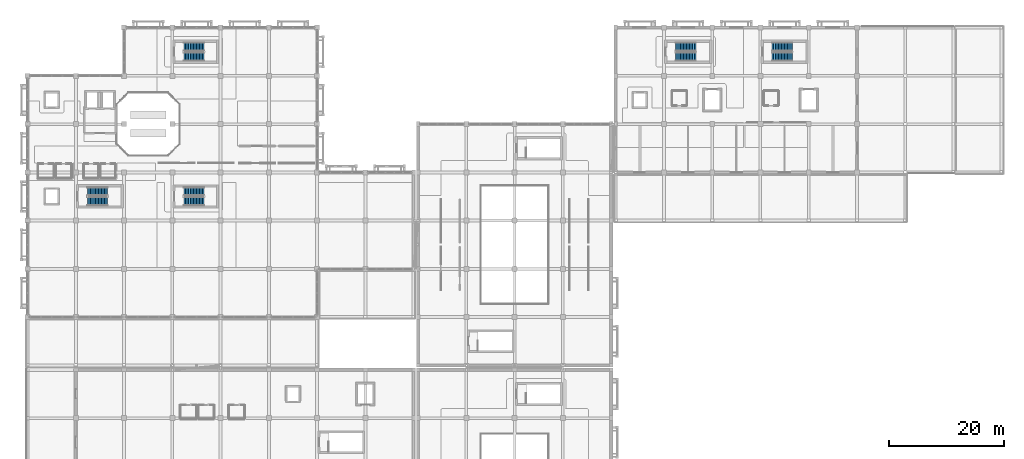
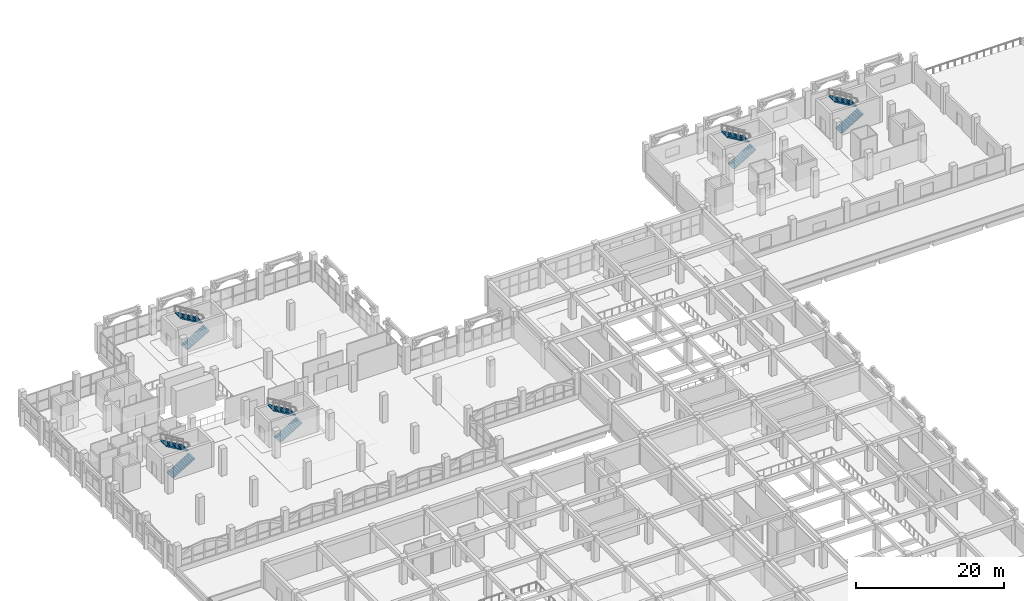
# One storey, part 116 of 129: 10 stair flights, 5 elements without a shape of their own.
"""IFC4 building model written with IfcOpenShell, lengths in metres."""

from ifc_helpers import new_model, si_unit, direction, frame, origin, place, context, subcontext, project, spatial, polyline, outline, extrude, material, type_object, element, aggregate, save


model = new_model("IFC4")

# Units and contexts
model_context = context("Model", 3, precision=1e-05, world=origin(), true_north=direction((0.0, 1.0)))
body_context = subcontext(model_context, "Body", "Model", "MODEL_VIEW")
ifc_project = project(units=[si_unit("LENGTHUNIT", "METRE"), si_unit("AREAUNIT", "SQUARE_METRE"), si_unit("VOLUMEUNIT", "CUBIC_METRE"), si_unit("PLANEANGLEUNIT", "RADIAN"), si_unit("MASSUNIT", "GRAM", prefix="KILO")], contexts=[model_context])

# Site, building, storey
site_placement = place(None, origin())
site = spatial("IfcSite", under=ifc_project, at=site_placement, CompositionType="ELEMENT")
building_placement = place(site_placement, origin())
building = spatial("IfcBuilding", under=site, at=building_placement, Name="Xazarin Passage Department Store", CompositionType="ELEMENT")
storey_placement = place(building_placement, frame((0.0, 0.0, 9.89990234375)))
storey = spatial("IfcBuildingStorey", under=building, at=storey_placement, Name="L02", CompositionType="ELEMENT", Elevation=9.89990234375)

# Stair, stair flights
ifc_material = material(Name="Concrete C35/45", Category="concrete")
stair_type = type_object("IfcStairType", Name="ARC-ST-TYP", PredefinedType="HALF_TURN_STAIR", material=ifc_material)
stair_1_placement = place(storey_placement, origin())
stair_1 = element("IfcStair", 1, at=stair_1_placement, inside=storey, type_object=stair_type, Name="L02 Exit Stair ST1", PredefinedType="HALF_TURN_STAIR")
stair_flight_type = type_object("IfcStairFlightType", Name="ARC-SFL-TYP", PredefinedType="STRAIGHT", material=ifc_material)
stair_flight_1_placement = place(storey_placement, frame((10.43994140625, 79.739990234375, 0.0), z_axis=(0.0, 0.0, 1.0), x_axis=(1.0, 0.0, 0.0)))
stair_flight_1 = element("IfcStairFlight", 2, at=stair_flight_1_placement, type_object=stair_flight_type, Name="ST1 flight 1", NumberOfRisers=14, NumberOfTreads=13, PredefinedType="STRAIGHT", RiserHeight=0.160714286, TreadLength=0.27, context=body_context, shape_type="SweptSolid", body=[
    extrude(outline(polyline([(0.0, 0.0), (0.0, 0.16064453125), (0.27001953125, 0.16064453125), (0.27001953125, 0.321533203125), (0.5400390625, 0.321533203125), (0.5400390625, 0.482177734375), (0.81005859375, 0.482177734375), (0.81005859375, 0.642822265625), (1.080078125, 0.642822265625), (1.080078125, 0.803466796875), (1.35009765625, 0.803466796875), (1.35009765625, 0.96435546875), (1.6201171875, 0.96435546875), (1.6201171875, 1.125), (1.889892578125, 1.125), (1.889892578125, 1.28564453125), (2.159912109375, 1.28564453125), (2.159912109375, 1.446533203125), (2.429931640625, 1.446533203125), (2.429931640625, 1.607177734375), (2.699951171875, 1.607177734375), (2.699951171875, 1.767822265625), (2.969970703125, 1.767822265625), (2.969970703125, 1.928466796875), (3.239990234375, 1.928466796875), (3.239990234375, 2.08935546875), (3.510009765625, 2.08935546875), (3.510009765625, 2.25), (3.510009765625, 1.903076171875), (0.312744140625, 0.0), (0.0, 0.0)])), frame((0.0, 0.760009765625, 0.0), z_axis=(0.0, -1.0, 0.0), x_axis=(1.0, 0.0, 0.0)), (0.0, 0.0, 1.0), 1.52001953125),
])
stair_flight_2_placement = place(storey_placement, frame((13.949951171875, 81.4599609375, 2.25), z_axis=(0.0, 0.0, 1.0), x_axis=(-1.0, 0.0, 0.0)))
stair_flight_2 = element("IfcStairFlight", 3, at=stair_flight_2_placement, type_object=stair_flight_type, Name="ST1 flight 2", NumberOfRisers=14, NumberOfTreads=13, PredefinedType="STRAIGHT", RiserHeight=0.160714286, TreadLength=0.27, context=body_context, shape_type="SweptSolid", body=[
    extrude(outline(polyline([(0.0, 0.0), (0.0, 0.16064453125), (0.27001953125, 0.16064453125), (0.27001953125, 0.321533203125), (0.5400390625, 0.321533203125), (0.5400390625, 0.482177734375), (0.81005859375, 0.482177734375), (0.81005859375, 0.642822265625), (1.080078125, 0.642822265625), (1.080078125, 0.803466796875), (1.35009765625, 0.803466796875), (1.35009765625, 0.96435546875), (1.6201171875, 0.96435546875), (1.6201171875, 1.125), (1.889892578125, 1.125), (1.889892578125, 1.28564453125), (2.159912109375, 1.28564453125), (2.159912109375, 1.446533203125), (2.429931640625, 1.446533203125), (2.429931640625, 1.607177734375), (2.699951171875, 1.607177734375), (2.699951171875, 1.767822265625), (2.969970703125, 1.767822265625), (2.969970703125, 1.928466796875), (3.239990234375, 1.928466796875), (3.239990234375, 2.08935546875), (3.510009765625, 2.08935546875), (3.510009765625, 2.25), (3.510009765625, 1.903076171875), (0.312744140625, 0.0), (0.0, 0.0)])), frame((0.0, 0.760009765625, 0.0), z_axis=(0.0, -1.0, 0.0), x_axis=(1.0, 0.0, 0.0)), (0.0, 0.0, 1.0), 1.52001953125),
])
aggregate(stair_1, [stair_flight_1, stair_flight_2])

stair_2_placement = place(storey_placement, origin())
stair_2 = element("IfcStair", 4, at=stair_2_placement, inside=storey, type_object=stair_type, Name="L02 Exit Stair ST2", PredefinedType="HALF_TURN_STAIR")
stair_flight_3_placement = place(storey_placement, frame((27.239990234375, 104.93994140625, 0.0), z_axis=(0.0, 0.0, 1.0), x_axis=(1.0, 0.0, 0.0)))
stair_flight_3 = element("IfcStairFlight", 5, at=stair_flight_3_placement, type_object=stair_flight_type, Name="ST2 flight 1", NumberOfRisers=14, NumberOfTreads=13, PredefinedType="STRAIGHT", RiserHeight=0.160714286, TreadLength=0.27, context=body_context, shape_type="SweptSolid", body=[
    extrude(outline(polyline([(0.0, 0.0), (0.0, 0.16064453125), (0.27001953125, 0.16064453125), (0.27001953125, 0.321533203125), (0.5400390625, 0.321533203125), (0.5400390625, 0.482177734375), (0.81005859375, 0.482177734375), (0.81005859375, 0.642822265625), (1.080078125, 0.642822265625), (1.080078125, 0.803466796875), (1.35009765625, 0.803466796875), (1.35009765625, 0.96435546875), (1.6201171875, 0.96435546875), (1.6201171875, 1.125), (1.889892578125, 1.125), (1.889892578125, 1.28564453125), (2.159912109375, 1.28564453125), (2.159912109375, 1.446533203125), (2.429931640625, 1.446533203125), (2.429931640625, 1.607177734375), (2.699951171875, 1.607177734375), (2.699951171875, 1.767822265625), (2.969970703125, 1.767822265625), (2.969970703125, 1.928466796875), (3.239990234375, 1.928466796875), (3.239990234375, 2.08935546875), (3.510009765625, 2.08935546875), (3.510009765625, 2.25), (3.510009765625, 1.903076171875), (0.312744140625, 0.0), (0.0, 0.0)])), frame((0.0, 0.760009765625, 0.0), z_axis=(0.0, -1.0, 0.0), x_axis=(1.0, 0.0, 0.0)), (0.0, 0.0, 1.0), 1.52001953125),
])
stair_flight_4_placement = place(storey_placement, frame((30.75, 106.659912109375, 2.25), z_axis=(0.0, 0.0, 1.0), x_axis=(-1.0, 0.0, 0.0)))
stair_flight_4 = element("IfcStairFlight", 6, at=stair_flight_4_placement, type_object=stair_flight_type, Name="ST2 flight 2", NumberOfRisers=14, NumberOfTreads=13, PredefinedType="STRAIGHT", RiserHeight=0.160714286, TreadLength=0.27, context=body_context, shape_type="SweptSolid", body=[
    extrude(outline(polyline([(0.0, 0.0), (0.0, 0.16064453125), (0.27001953125, 0.16064453125), (0.27001953125, 0.321533203125), (0.5400390625, 0.321533203125), (0.5400390625, 0.482177734375), (0.81005859375, 0.482177734375), (0.81005859375, 0.642822265625), (1.080078125, 0.642822265625), (1.080078125, 0.803466796875), (1.35009765625, 0.803466796875), (1.35009765625, 0.96435546875), (1.6201171875, 0.96435546875), (1.6201171875, 1.125), (1.889892578125, 1.125), (1.889892578125, 1.28564453125), (2.159912109375, 1.28564453125), (2.159912109375, 1.446533203125), (2.429931640625, 1.446533203125), (2.429931640625, 1.607177734375), (2.699951171875, 1.607177734375), (2.699951171875, 1.767822265625), (2.969970703125, 1.767822265625), (2.969970703125, 1.928466796875), (3.239990234375, 1.928466796875), (3.239990234375, 2.08935546875), (3.510009765625, 2.08935546875), (3.510009765625, 2.25), (3.510009765625, 1.903076171875), (0.312744140625, 0.0), (0.0, 0.0)])), frame((0.0, 0.760009765625, 0.0), z_axis=(0.0, -1.0, 0.0), x_axis=(1.0, 0.0, 0.0)), (0.0, 0.0, 1.0), 1.52001953125),
])
aggregate(stair_2, [stair_flight_3, stair_flight_4])

stair_3_placement = place(storey_placement, origin())
stair_3 = element("IfcStair", 7, at=stair_3_placement, inside=storey, type_object=stair_type, Name="L02 Exit Stair ST3", PredefinedType="HALF_TURN_STAIR")
stair_flight_5_placement = place(storey_placement, frame((27.239990234375, 79.739990234375, 0.0), z_axis=(0.0, 0.0, 1.0), x_axis=(1.0, 0.0, 0.0)))
stair_flight_5 = element("IfcStairFlight", 8, at=stair_flight_5_placement, type_object=stair_flight_type, Name="ST3 flight 1", NumberOfRisers=14, NumberOfTreads=13, PredefinedType="STRAIGHT", RiserHeight=0.160714286, TreadLength=0.27, context=body_context, shape_type="SweptSolid", body=[
    extrude(outline(polyline([(0.0, 0.0), (0.0, 0.16064453125), (0.27001953125, 0.16064453125), (0.27001953125, 0.321533203125), (0.5400390625, 0.321533203125), (0.5400390625, 0.482177734375), (0.81005859375, 0.482177734375), (0.81005859375, 0.642822265625), (1.080078125, 0.642822265625), (1.080078125, 0.803466796875), (1.35009765625, 0.803466796875), (1.35009765625, 0.96435546875), (1.6201171875, 0.96435546875), (1.6201171875, 1.125), (1.889892578125, 1.125), (1.889892578125, 1.28564453125), (2.159912109375, 1.28564453125), (2.159912109375, 1.446533203125), (2.429931640625, 1.446533203125), (2.429931640625, 1.607177734375), (2.699951171875, 1.607177734375), (2.699951171875, 1.767822265625), (2.969970703125, 1.767822265625), (2.969970703125, 1.928466796875), (3.239990234375, 1.928466796875), (3.239990234375, 2.08935546875), (3.510009765625, 2.08935546875), (3.510009765625, 2.25), (3.510009765625, 1.903076171875), (0.312744140625, 0.0), (0.0, 0.0)])), frame((0.0, 0.760009765625, 0.0), z_axis=(0.0, -1.0, 0.0), x_axis=(1.0, 0.0, 0.0)), (0.0, 0.0, 1.0), 1.52001953125),
])
stair_flight_6_placement = place(storey_placement, frame((30.75, 81.4599609375, 2.25), z_axis=(0.0, 0.0, 1.0), x_axis=(-1.0, 0.0, 0.0)))
stair_flight_6 = element("IfcStairFlight", 9, at=stair_flight_6_placement, type_object=stair_flight_type, Name="ST3 flight 2", NumberOfRisers=14, NumberOfTreads=13, PredefinedType="STRAIGHT", RiserHeight=0.160714286, TreadLength=0.27, context=body_context, shape_type="SweptSolid", body=[
    extrude(outline(polyline([(0.0, 0.0), (0.0, 0.16064453125), (0.27001953125, 0.16064453125), (0.27001953125, 0.321533203125), (0.5400390625, 0.321533203125), (0.5400390625, 0.482177734375), (0.81005859375, 0.482177734375), (0.81005859375, 0.642822265625), (1.080078125, 0.642822265625), (1.080078125, 0.803466796875), (1.35009765625, 0.803466796875), (1.35009765625, 0.96435546875), (1.6201171875, 0.96435546875), (1.6201171875, 1.125), (1.889892578125, 1.125), (1.889892578125, 1.28564453125), (2.159912109375, 1.28564453125), (2.159912109375, 1.446533203125), (2.429931640625, 1.446533203125), (2.429931640625, 1.607177734375), (2.699951171875, 1.607177734375), (2.699951171875, 1.767822265625), (2.969970703125, 1.767822265625), (2.969970703125, 1.928466796875), (3.239990234375, 1.928466796875), (3.239990234375, 2.08935546875), (3.510009765625, 2.08935546875), (3.510009765625, 2.25), (3.510009765625, 1.903076171875), (0.312744140625, 0.0), (0.0, 0.0)])), frame((0.0, 0.760009765625, 0.0), z_axis=(0.0, -1.0, 0.0), x_axis=(1.0, 0.0, 0.0)), (0.0, 0.0, 1.0), 1.52001953125),
])
aggregate(stair_3, [stair_flight_5, stair_flight_6])

stair_4_placement = place(storey_placement, origin())
stair_4 = element("IfcStair", 10, at=stair_4_placement, inside=storey, type_object=stair_type, Name="L02 Exit Stair ST10", PredefinedType="HALF_TURN_STAIR")
stair_flight_7_placement = place(storey_placement, frame((112.840087890625, 104.93994140625, 0.0), z_axis=(0.0, 0.0, 1.0), x_axis=(1.0, 0.0, 0.0)))
stair_flight_7 = element("IfcStairFlight", 11, at=stair_flight_7_placement, type_object=stair_flight_type, Name="ST10 flight 1", NumberOfRisers=14, NumberOfTreads=13, PredefinedType="STRAIGHT", RiserHeight=0.160714286, TreadLength=0.27, context=body_context, shape_type="SweptSolid", body=[
    extrude(outline(polyline([(0.0, 0.0), (0.0, 0.16064453125), (0.27001953125, 0.16064453125), (0.27001953125, 0.321533203125), (0.5400390625, 0.321533203125), (0.5400390625, 0.482177734375), (0.81005859375, 0.482177734375), (0.81005859375, 0.642822265625), (1.080078125, 0.642822265625), (1.080078125, 0.803466796875), (1.35009765625, 0.803466796875), (1.35009765625, 0.96435546875), (1.6201171875, 0.96435546875), (1.6201171875, 1.125), (1.889892578125, 1.125), (1.889892578125, 1.28564453125), (2.159912109375, 1.28564453125), (2.159912109375, 1.446533203125), (2.429931640625, 1.446533203125), (2.429931640625, 1.607177734375), (2.699951171875, 1.607177734375), (2.699951171875, 1.767822265625), (2.969970703125, 1.767822265625), (2.969970703125, 1.928466796875), (3.239990234375, 1.928466796875), (3.239990234375, 2.08935546875), (3.510009765625, 2.08935546875), (3.510009765625, 2.25), (3.510009765625, 1.903076171875), (0.312744140625, 0.0), (0.0, 0.0)])), frame((0.0, 0.760009765625, 0.0), z_axis=(0.0, -1.0, 0.0), x_axis=(1.0, 0.0, 0.0)), (0.0, 0.0, 1.0), 1.52001953125),
])
stair_flight_8_placement = place(storey_placement, frame((116.35009765625, 106.659912109375, 2.25), z_axis=(0.0, 0.0, 1.0), x_axis=(-1.0, 0.0, 0.0)))
stair_flight_8 = element("IfcStairFlight", 12, at=stair_flight_8_placement, type_object=stair_flight_type, Name="ST10 flight 2", NumberOfRisers=14, NumberOfTreads=13, PredefinedType="STRAIGHT", RiserHeight=0.160714286, TreadLength=0.27, context=body_context, shape_type="SweptSolid", body=[
    extrude(outline(polyline([(0.0, 0.0), (0.0, 0.16064453125), (0.27001953125, 0.16064453125), (0.27001953125, 0.321533203125), (0.5400390625, 0.321533203125), (0.5400390625, 0.482177734375), (0.81005859375, 0.482177734375), (0.81005859375, 0.642822265625), (1.080078125, 0.642822265625), (1.080078125, 0.803466796875), (1.35009765625, 0.803466796875), (1.35009765625, 0.96435546875), (1.6201171875, 0.96435546875), (1.6201171875, 1.125), (1.889892578125, 1.125), (1.889892578125, 1.28564453125), (2.159912109375, 1.28564453125), (2.159912109375, 1.446533203125), (2.429931640625, 1.446533203125), (2.429931640625, 1.607177734375), (2.699951171875, 1.607177734375), (2.699951171875, 1.767822265625), (2.969970703125, 1.767822265625), (2.969970703125, 1.928466796875), (3.239990234375, 1.928466796875), (3.239990234375, 2.08935546875), (3.510009765625, 2.08935546875), (3.510009765625, 2.25), (3.510009765625, 1.903076171875), (0.312744140625, 0.0), (0.0, 0.0)])), frame((0.0, 0.760009765625, 0.0), z_axis=(0.0, -1.0, 0.0), x_axis=(1.0, 0.0, 0.0)), (0.0, 0.0, 1.0), 1.52001953125),
])
aggregate(stair_4, [stair_flight_7, stair_flight_8])

stair_5_placement = place(storey_placement, origin())
stair_5 = element("IfcStair", 13, at=stair_5_placement, inside=storey, type_object=stair_type, Name="L02 Exit Stair ST11", PredefinedType="HALF_TURN_STAIR")
stair_flight_9_placement = place(storey_placement, frame((129.639892578125, 104.93994140625, 0.0), z_axis=(0.0, 0.0, 1.0), x_axis=(1.0, 0.0, 0.0)))
stair_flight_9 = element("IfcStairFlight", 14, at=stair_flight_9_placement, type_object=stair_flight_type, Name="ST11 flight 1", NumberOfRisers=14, NumberOfTreads=13, PredefinedType="STRAIGHT", RiserHeight=0.160714286, TreadLength=0.27, context=body_context, shape_type="SweptSolid", body=[
    extrude(outline(polyline([(0.0, 0.0), (0.0, 0.16064453125), (0.27001953125, 0.16064453125), (0.27001953125, 0.321533203125), (0.5400390625, 0.321533203125), (0.5400390625, 0.482177734375), (0.81005859375, 0.482177734375), (0.81005859375, 0.642822265625), (1.080078125, 0.642822265625), (1.080078125, 0.803466796875), (1.35009765625, 0.803466796875), (1.35009765625, 0.96435546875), (1.6201171875, 0.96435546875), (1.6201171875, 1.125), (1.889892578125, 1.125), (1.889892578125, 1.28564453125), (2.159912109375, 1.28564453125), (2.159912109375, 1.446533203125), (2.429931640625, 1.446533203125), (2.429931640625, 1.607177734375), (2.699951171875, 1.607177734375), (2.699951171875, 1.767822265625), (2.969970703125, 1.767822265625), (2.969970703125, 1.928466796875), (3.239990234375, 1.928466796875), (3.239990234375, 2.08935546875), (3.510009765625, 2.08935546875), (3.510009765625, 2.25), (3.510009765625, 1.903076171875), (0.312744140625, 0.0), (0.0, 0.0)])), frame((0.0, 0.760009765625, 0.0), z_axis=(0.0, -1.0, 0.0), x_axis=(1.0, 0.0, 0.0)), (0.0, 0.0, 1.0), 1.52001953125),
])
stair_flight_10_placement = place(storey_placement, frame((133.14990234375, 106.659912109375, 2.25), z_axis=(0.0, 0.0, 1.0), x_axis=(-1.0, 0.0, 0.0)))
stair_flight_10 = element("IfcStairFlight", 15, at=stair_flight_10_placement, type_object=stair_flight_type, Name="ST11 flight 2", NumberOfRisers=14, NumberOfTreads=13, PredefinedType="STRAIGHT", RiserHeight=0.160714286, TreadLength=0.27, context=body_context, shape_type="SweptSolid", body=[
    extrude(outline(polyline([(0.0, 0.0), (0.0, 0.16064453125), (0.27001953125, 0.16064453125), (0.27001953125, 0.321533203125), (0.5400390625, 0.321533203125), (0.5400390625, 0.482177734375), (0.81005859375, 0.482177734375), (0.81005859375, 0.642822265625), (1.080078125, 0.642822265625), (1.080078125, 0.803466796875), (1.35009765625, 0.803466796875), (1.35009765625, 0.96435546875), (1.6201171875, 0.96435546875), (1.6201171875, 1.125), (1.889892578125, 1.125), (1.889892578125, 1.28564453125), (2.159912109375, 1.28564453125), (2.159912109375, 1.446533203125), (2.429931640625, 1.446533203125), (2.429931640625, 1.607177734375), (2.699951171875, 1.607177734375), (2.699951171875, 1.767822265625), (2.969970703125, 1.767822265625), (2.969970703125, 1.928466796875), (3.239990234375, 1.928466796875), (3.239990234375, 2.08935546875), (3.510009765625, 2.08935546875), (3.510009765625, 2.25), (3.510009765625, 1.903076171875), (0.312744140625, 0.0), (0.0, 0.0)])), frame((0.0, 0.760009765625, 0.0), z_axis=(0.0, -1.0, 0.0), x_axis=(1.0, 0.0, 0.0)), (0.0, 0.0, 1.0), 1.52001953125),
])
aggregate(stair_5, [stair_flight_9, stair_flight_10])

save(model, "model.ifc")
